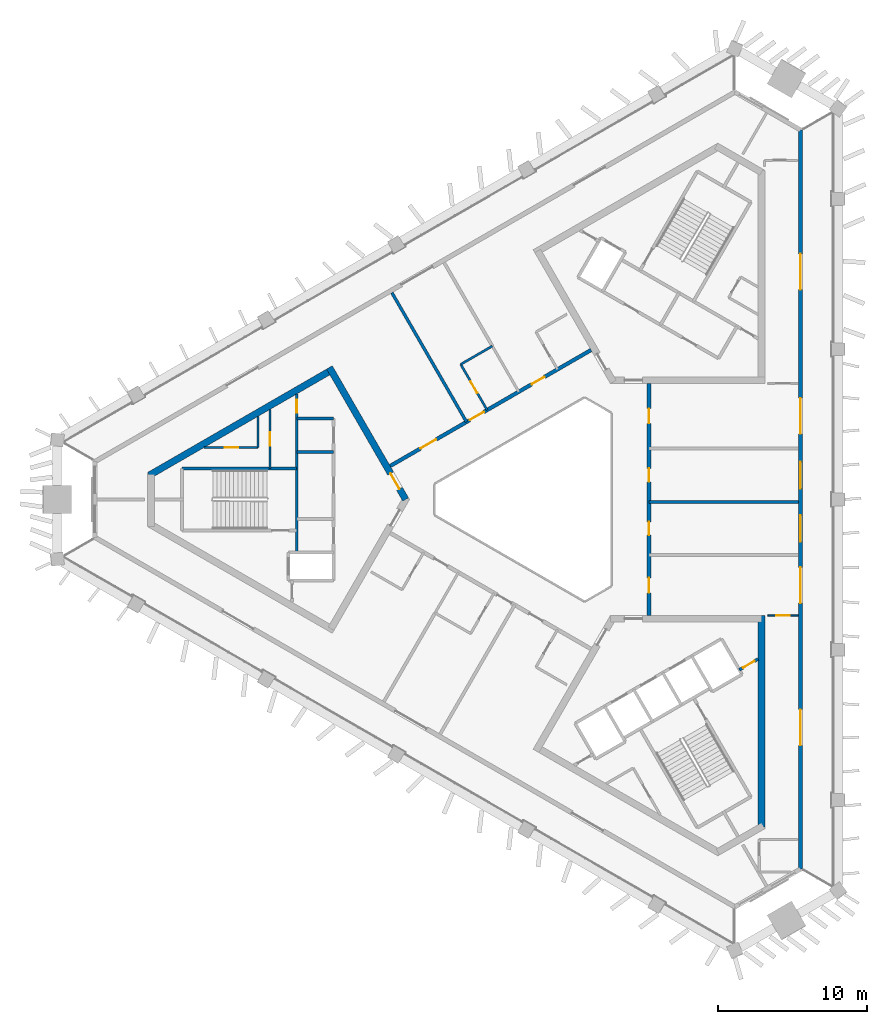
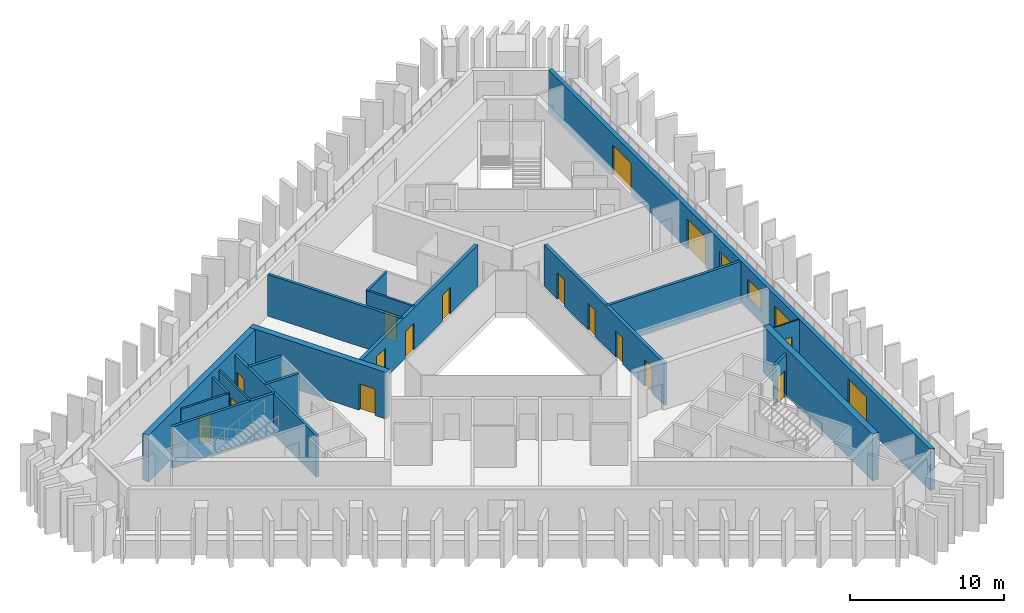
# One storey, part 4 of 9: 19 walls, 18 doors, 2 windows, 20 openings.
"""IFC4 building model written with IfcOpenShell, lengths in metres."""

from ifc_helpers import new_model, si_unit, direction, frame, frame_2d, origin, place, context, subcontext, project, spatial, rectangle, extrude, material, layer, layer_set, type_object, element, fill, save


model = new_model("IFC4")

# Units and contexts
model_context = context("Model", 3, precision=1e-05, world=origin(), true_north=direction((0.0, 1.0)))
body_context = subcontext(model_context, "Body", "Model", "MODEL_VIEW")
ifc_project = project(units=[si_unit("LENGTHUNIT", "METRE"), si_unit("AREAUNIT", "SQUARE_METRE"), si_unit("VOLUMEUNIT", "CUBIC_METRE"), si_unit("PLANEANGLEUNIT", "RADIAN"), si_unit("MASSUNIT", "GRAM", prefix="KILO")], contexts=[model_context])

# Site, building, storey
site_placement = place(None, origin())
site = spatial("IfcSite", under=ifc_project, at=site_placement, CompositionType="ELEMENT")
building_placement = place(site_placement, origin())
building = spatial("IfcBuilding", under=site, at=building_placement, Name="Jabali Bay Hotel Tower and Convention Centre", CompositionType="ELEMENT")
storey_placement = place(building_placement, frame((0.0, 0.0, 239.10009765625)))
storey = spatial("IfcBuildingStorey", under=building, at=storey_placement, Name="L59", CompositionType="ELEMENT", Elevation=239.10009765625)

# Wall, opening, door
ifc_material_1 = material(Name="Concrete C40", Category="concrete")
ifc_layer_1 = layer(ifc_material_1, 0.199951171875)
ifc_layer_set_1 = layer_set([ifc_layer_1], Name="Concrete C40")
wall_type_1 = type_object("IfcWallType", Name="Core partition wall 200", PredefinedType="PARTITIONING", material=ifc_layer_set_1)
wall_1_placement = place(storey_placement, frame((88.164794921875, 68.548095703125, 0.0), z_axis=(0.0, 0.0, 1.0), x_axis=(0.866013036001, 0.500021421018, 0.0)))
wall_1 = element("IfcWall", 1, at=wall_1_placement, inside=storey, type_object=wall_type_1, Name="Core wall 2.12 L59", PredefinedType="PARTITIONING", context=body_context, shape_type="SweptSolid", body=[
    extrude(rectangle(XDim=1.4609375, YDim=0.199951171875, at=frame_2d((0.73046875, 0.0))), origin(), (0.0, 0.0, 1.0), 3.2998046875),
])
opening_1_placement = place(wall_1_placement, frame((0.280517578125, 0.0, 0.0)))
opening_1 = element("IfcOpeningElement", 2, at=opening_1_placement, cuts=wall_1, Name="Opening D1301", PredefinedType="OPENING", context=body_context, shape_type="SweptSolid", body=[
    extrude(rectangle(XDim=0.89990234375, YDim=2.10009765625, at=frame_2d((0.449951171875, 1.050048828125))), frame((0.0, 0.1103515625, 0.0), z_axis=(0.0, -1.0, 0.0), x_axis=(1.0, 0.0, 0.0)), (0.0, 0.0, 1.0), 0.220947265625),
])
ifc_material_2 = material(Name="Fire-rated steel door", Category="steel")
door_type_1 = type_object("IfcDoorType", Name="Vestibule fire door 900 x 2100", OperationType="NOTDEFINED", PredefinedType="NOTDEFINED", material=ifc_material_2)
door_1_placement = place(opening_1_placement, origin())
door_1 = element("IfcDoor", 3, at=door_1_placement, inside=storey, type_object=door_type_1, Name="Vestibule fire door D1301", OperationType="SINGLE_SWING_LEFT", OverallHeight=2.10009765625, OverallWidth=0.89990234375, PredefinedType="NOTDEFINED", context=body_context, shape_type="SweptSolid", body=[
    extrude(rectangle(XDim=0.89990234375, YDim=2.10009765625, at=frame_2d((0.449951171875, 1.050048828125))), frame((0.0, 0.02490234375, 0.0), z_axis=(0.0, -1.0, 0.0), x_axis=(1.0, 0.0, 0.0)), (0.0, 0.0, 1.0), 0.050048828125),
])
fill(opening_1, door_1)

ifc_material_3 = material(Name="Fire-rated board partition")
ifc_layer_2 = layer(ifc_material_3, 0.14990234375)
ifc_layer_set_2 = layer_set([ifc_layer_2], Name="Fire-rated board partition")
wall_type_2 = type_object("IfcWallType", Name="Core room partition 150", PredefinedType="PARTITIONING", material=ifc_layer_set_2)
wall_2_placement = place(storey_placement, frame((55.820068359375, 83.5, 0.0), z_axis=(0.0, 0.0, 1.0), x_axis=(-1.0, 0.0, 0.0)))
wall_2 = element("IfcWall", 4, at=wall_2_placement, inside=storey, type_object=wall_type_2, Name="Core wall 0.1 L59", PredefinedType="PARTITIONING", context=body_context, shape_type="SweptSolid", body=[
    extrude(rectangle(XDim=3.617919921875, YDim=0.14990234375, at=frame_2d((1.80908203125, 0.0))), origin(), (0.0, 0.0, 1.0), 3.2998046875),
])
opening_2_placement = place(wall_2_placement, frame((1.33154296875, 0.0, 0.0)))
opening_2 = element("IfcOpeningElement", 5, at=opening_2_placement, cuts=wall_2, Name="Opening D1290", PredefinedType="OPENING", context=body_context, shape_type="SweptSolid", body=[
    extrude(rectangle(XDim=0.89990234375, YDim=2.10009765625, at=frame_2d((0.449951171875, 1.050048828125))), frame((0.0, 0.08544921875, 0.0), z_axis=(0.0, -1.0, 0.0), x_axis=(1.0, 0.0, 0.0)), (0.0, 0.0, 1.0), 0.1708984375),
])
door_type_2 = type_object("IfcDoorType", Name="Core room door 900 x 2100", OperationType="NOTDEFINED", PredefinedType="NOTDEFINED", material=ifc_material_2)
door_2_placement = place(opening_2_placement, origin())
door_2 = element("IfcDoor", 6, at=door_2_placement, inside=storey, type_object=door_type_2, Name="Core room door D1290", OperationType="SINGLE_SWING_LEFT", OverallHeight=2.10009765625, OverallWidth=0.89990234375, PredefinedType="NOTDEFINED", context=body_context, shape_type="SweptSolid", body=[
    extrude(rectangle(XDim=0.89990234375, YDim=2.10009765625, at=frame_2d((0.449951171875, 1.050048828125))), frame((0.0, 0.02490234375, 0.0), z_axis=(0.0, -1.0, 0.0), x_axis=(1.0, 0.0, 0.0)), (0.0, 0.0, 1.0), 0.050048828125),
])
fill(opening_2, door_2)

wall_3_placement = place(storey_placement, frame((56.6201171875, 86.050537109375, 0.0), z_axis=(0.0, 0.0, 1.0), x_axis=(0.0, -1.0, 0.0)))
wall_3 = element("IfcWall", 7, at=wall_3_placement, inside=storey, type_object=wall_type_2, Name="Core wall 0.13 L59", PredefinedType="PARTITIONING", context=body_context, shape_type="SweptSolid", body=[
    extrude(rectangle(XDim=3.9755859375, YDim=0.14990234375, at=frame_2d((1.98779296875, 0.0))), origin(), (0.0, 0.0, 1.0), 3.2998046875),
])
opening_3_placement = place(wall_3_placement, frame((1.537841796875, 0.0, 0.0)))
opening_3 = element("IfcOpeningElement", 8, at=opening_3_placement, cuts=wall_3, Name="Opening D1286", PredefinedType="OPENING", context=body_context, shape_type="SweptSolid", body=[
    extrude(rectangle(XDim=0.89990234375, YDim=2.10009765625, at=frame_2d((0.449951171875, 1.050048828125))), frame((0.0, 0.08544921875, 0.0), z_axis=(0.0, -1.0, 0.0), x_axis=(1.0, 0.0, 0.0)), (0.0, 0.0, 1.0), 0.1708984375),
])
door_3_placement = place(opening_3_placement, origin())
door_3 = element("IfcDoor", 9, at=door_3_placement, inside=storey, type_object=door_type_2, Name="Core room door D1286", OperationType="SINGLE_SWING_RIGHT", OverallHeight=2.10009765625, OverallWidth=0.89990234375, PredefinedType="NOTDEFINED", context=body_context, shape_type="SweptSolid", body=[
    extrude(rectangle(XDim=0.89990234375, YDim=2.10009765625, at=frame_2d((0.449951171875, 1.050048828125))), frame((0.0, 0.02490234375, 0.0), z_axis=(0.0, -1.0, 0.0), x_axis=(1.0, 0.0, 0.0)), (0.0, 0.0, 1.0), 0.050048828125),
])
fill(opening_3, door_3)

# Walls
wall_4_placement = place(storey_placement, frame((55.820068359375, 85.5888671875, 0.0), z_axis=(0.0, 0.0, 1.0), x_axis=(0.0, -1.0, 0.0)))
element("IfcWall", 10, at=wall_4_placement, inside=storey, type_object=wall_type_2, Name="Core wall 0.14 L59", PredefinedType="PARTITIONING", context=body_context, shape_type="SweptSolid", body=[
    extrude(rectangle(XDim=2.0888671875, YDim=0.14990234375, at=frame_2d((1.04443359375, 0.0))), origin(), (0.0, 0.0, 1.0), 3.2998046875),
])
ifc_layer_3 = layer(ifc_material_1, 0.199951171875)
ifc_layer_set_3 = layer_set([ifc_layer_3], Name="Concrete C40")
wall_type_3 = type_object("IfcWallType", Name="Core stair wall 200", PredefinedType="SOLIDWALL", material=ifc_layer_set_3)
for number, where, z_axis, x_axis, name in (
    (11, (60.89990234375, 85.449951171875, 0.0), (0.0, 0.0, 1.0), (-1.0, 0.0, 0.0), "Core wall 0.0 L59"),
    (12, (60.89990234375, 83.199951171875, 0.0), (0.0, 0.0, 1.0), (-1.0, 0.0, 0.0), "Core wall 0.2 L59"),
):
    element("IfcWall", number, at=place(storey_placement, frame(where, z_axis=z_axis, x_axis=x_axis)), inside=storey, type_object=wall_type_3, Name=name, PredefinedType="SOLIDWALL", context=body_context, shape_type="SweptSolid", body=[
        extrude(rectangle(XDim=2.47998046875, YDim=0.199951171875, at=frame_2d((1.239990234375, 0.0))), origin(), (0.0, 0.0, 1.0), 3.2998046875),
    ])
wall_5_placement = place(storey_placement, frame((58.419921875, 82.074951171875, 0.0), z_axis=(0.0, 0.0, 1.0), x_axis=(-1.0, 0.0, 0.0)))
element("IfcWall", 13, at=wall_5_placement, inside=storey, type_object=wall_type_3, Name="Core wall 0.3 L59", PredefinedType="SOLIDWALL", context=body_context, shape_type="SweptSolid", body=[
    extrude(rectangle(XDim=7.699951171875, YDim=0.199951171875, at=frame_2d((3.85009765625, 0.0))), origin(), (0.0, 0.0, 1.0), 3.2998046875),
])

# Wall, opening, door
wall_6_placement = place(storey_placement, frame((58.419921875, 87.08984375, 0.0), z_axis=(0.0, 0.0, 1.0), x_axis=(0.0, -1.0, 0.0)))
wall_6 = element("IfcWall", 14, at=wall_6_placement, inside=storey, type_object=wall_type_3, Name="Core wall 0.10 L59", PredefinedType="SOLIDWALL", context=body_context, shape_type="SweptSolid", body=[
    extrude(rectangle(XDim=10.639892578125, YDim=0.199951171875, at=frame_2d((5.31982421875, 0.0))), origin(), (0.0, 0.0, 1.0), 3.2998046875),
])
opening_4_placement = place(wall_6_placement, frame((0.369873046875, 0.0, 0.0)))
opening_4 = element("IfcOpeningElement", 15, at=opening_4_placement, cuts=wall_6, Name="Opening D1288", PredefinedType="OPENING", context=body_context, shape_type="SweptSolid", body=[
    extrude(rectangle(XDim=0.89990234375, YDim=2.10009765625, at=frame_2d((0.449951171875, 1.050048828125))), frame((0.0, 0.1103515625, 0.0), z_axis=(0.0, -1.0, 0.0), x_axis=(1.0, 0.0, 0.0)), (0.0, 0.0, 1.0), 0.220947265625),
])
door_4_placement = place(opening_4_placement, origin())
door_4 = element("IfcDoor", 16, at=door_4_placement, inside=storey, type_object=door_type_1, Name="Vestibule fire door D1288", OperationType="SINGLE_SWING_LEFT", OverallHeight=2.10009765625, OverallWidth=0.89990234375, PredefinedType="NOTDEFINED", context=body_context, shape_type="SweptSolid", body=[
    extrude(rectangle(XDim=0.89990234375, YDim=2.10009765625, at=frame_2d((0.449951171875, 1.050048828125))), frame((0.0, 0.02490234375, 0.0), z_axis=(0.0, -1.0, 0.0), x_axis=(1.0, 0.0, 0.0)), (0.0, 0.0, 1.0), 0.050048828125),
])
fill(opening_4, door_4)

ifc_material_4 = material(Name="Concrete C60", Category="concrete")
ifc_layer_4 = layer(ifc_material_4, 0.449951171875)
ifc_layer_set_4 = layer_set([ifc_layer_4], Name="Concrete C60")
wall_type_4 = type_object("IfcWallType", Name="Core wall 450", PredefinedType="SHEAR", material=ifc_layer_set_4)
wall_7_placement = place(storey_placement, frame((65.740234375, 80.0, 0.0), z_axis=(0.0, 0.0, 1.0), x_axis=(-0.499991857942, 0.866030104553, 0.0)))
wall_7 = element("IfcWall", 17, at=wall_7_placement, inside=storey, type_object=wall_type_4, Name="Core wall 1.1 L59", PredefinedType="SHEAR", context=body_context, shape_type="SweptSolid", body=[
    extrude(rectangle(XDim=10.250244140625, YDim=0.449951171875, at=frame_2d((5.125, 0.0))), origin(), (0.0, 0.0, 1.0), 3.699951171875),
])
opening_5_placement = place(wall_7_placement, frame((0.820068359375, 0.0, 0.0)))
opening_5 = element("IfcOpeningElement", 18, at=opening_5_placement, cuts=wall_7, Name="Opening D1281", PredefinedType="OPENING", context=body_context, shape_type="SweptSolid", body=[
    extrude(rectangle(XDim=1.199951171875, YDim=2.10009765625, at=frame_2d((0.60009765625, 1.050048828125))), frame((0.0, 0.2353515625, 0.0), z_axis=(0.0, -1.0, 0.0), x_axis=(1.0, 0.0, 0.0)), (0.0, 0.0, 1.0), 0.470947265625),
])
door_type_3 = type_object("IfcDoorType", Name="Corridor end fire door 1200 x 2100", OperationType="NOTDEFINED", PredefinedType="NOTDEFINED", material=ifc_material_2)
door_5_placement = place(opening_5_placement, origin())
door_5 = element("IfcDoor", 19, at=door_5_placement, inside=storey, type_object=door_type_3, Name="Corridor end fire door D1281", OperationType="SINGLE_SWING_RIGHT", OverallHeight=2.10009765625, OverallWidth=1.199951171875, PredefinedType="NOTDEFINED", context=body_context, shape_type="SweptSolid", body=[
    extrude(rectangle(XDim=1.199951171875, YDim=2.10009765625, at=frame_2d((0.60009765625, 1.050048828125))), frame((0.0, 0.02490234375, 0.0), z_axis=(0.0, -1.0, 0.0), x_axis=(1.0, 0.0, 0.0)), (0.0, 0.0, 1.0), 0.050048828125),
])
fill(opening_5, door_5)

# Walls
wall_8_placement = place(storey_placement, frame((60.7275390625, 88.681884765625, 0.0), z_axis=(0.0, 0.0, 1.0), x_axis=(-0.866021613849, -0.500006564303, 0.0)))
element("IfcWall", 20, at=wall_8_placement, inside=storey, type_object=wall_type_4, Name="Core wall 1.2 L59", PredefinedType="SHEAR", context=body_context, shape_type="SweptSolid", body=[
    extrude(rectangle(XDim=14.108154296875, YDim=0.449951171875, at=frame_2d((7.05419921875, 0.0))), origin(), (0.0, 0.0, 1.0), 3.699951171875),
])
wall_9_placement = place(storey_placement, frame((89.655029296875, 58.002197265625, 0.0), z_axis=(0.0, 0.0, 1.0), x_axis=(0.0, 1.0, 0.0)))
element("IfcWall", 21, at=wall_9_placement, inside=storey, type_object=wall_type_4, Name="Core wall 3.4 L59", PredefinedType="SHEAR", context=body_context, shape_type="SweptSolid", body=[
    extrude(rectangle(XDim=14.20361328125, YDim=0.449951171875, at=frame_2d((7.101806640625, 0.0))), origin(), (0.0, 0.0, 1.0), 3.699951171875),
])

# Wall, openings, doors
ifc_layer_5 = layer(ifc_material_4, 0.25)
ifc_layer_set_5 = layer_set([ifc_layer_5], Name="Concrete C60")
wall_type_5 = type_object("IfcWallType", Name="Corridor wall 250", PredefinedType="SHEAR", material=ifc_layer_set_5)
wall_10_placement = place(storey_placement, frame((82.10009765625, 72.205810546875, 0.0), z_axis=(0.0, 0.0, 1.0), x_axis=(0.0, 1.0, 0.0)))
wall_10 = element("IfcWall", 22, at=wall_10_placement, inside=storey, type_object=wall_type_5, Name="Corridor wall 1 L59", PredefinedType="SHEAR", context=body_context, shape_type="SweptSolid", body=[
    extrude(rectangle(XDim=15.58837890625, YDim=0.25, at=frame_2d((7.794189453125, 0.0))), origin(), (0.0, 0.0, 1.0), 3.2998046875),
])
opening_6_placement = place(wall_10_placement, frame((1.526611328125, 0.0, 0.0)))
opening_6 = element("IfcOpeningElement", 23, at=opening_6_placement, cuts=wall_10, Name="Opening 5901", PredefinedType="OPENING", context=body_context, shape_type="SweptSolid", body=[
    extrude(rectangle(XDim=1.0, YDim=2.10009765625, at=frame_2d((0.5, 1.050048828125))), frame((0.0, 0.135498046875, 0.0), z_axis=(0.0, -1.0, 0.0), x_axis=(1.0, 0.0, 0.0)), (0.0, 0.0, 1.0), 0.27099609375),
])
opening_7_placement = place(wall_10_placement, frame((5.395751953125, 0.0, 0.0)))
opening_7 = element("IfcOpeningElement", 24, at=opening_7_placement, cuts=wall_10, Name="Opening 5904", PredefinedType="OPENING", context=body_context, shape_type="SweptSolid", body=[
    extrude(rectangle(XDim=0.89990234375, YDim=2.10009765625, at=frame_2d((0.449951171875, 1.050048828125))), frame((0.0, 0.135498046875, 0.0), z_axis=(0.0, -1.0, 0.0), x_axis=(1.0, 0.0, 0.0)), (0.0, 0.0, 1.0), 0.27099609375),
])
opening_8_placement = place(wall_10_placement, frame((8.98095703125, 0.0, 0.0)))
opening_8 = element("IfcOpeningElement", 25, at=opening_8_placement, cuts=wall_10, Name="Opening 5905", PredefinedType="OPENING", context=body_context, shape_type="SweptSolid", body=[
    extrude(rectangle(XDim=0.89990234375, YDim=2.10009765625, at=frame_2d((0.449951171875, 1.050048828125))), frame((0.0, 0.135498046875, 0.0), z_axis=(0.0, -1.0, 0.0), x_axis=(1.0, 0.0, 0.0)), (0.0, 0.0, 1.0), 0.27099609375),
])
opening_9_placement = place(wall_10_placement, frame((12.906005859375, 0.0, 0.0)))
opening_9 = element("IfcOpeningElement", 26, at=opening_9_placement, cuts=wall_10, Name="Opening 5906", PredefinedType="OPENING", context=body_context, shape_type="SweptSolid", body=[
    extrude(rectangle(XDim=1.0, YDim=2.10009765625, at=frame_2d((0.5, 1.050048828125))), frame((0.0, 0.135498046875, 0.0), z_axis=(0.0, -1.0, 0.0), x_axis=(1.0, 0.0, 0.0)), (0.0, 0.0, 1.0), 0.27099609375),
])
ifc_material_5 = material(Name="Timber", Category="wood")
door_type_4 = type_object("IfcDoorType", Name="Guest room door 1000 x 2100", OperationType="NOTDEFINED", PredefinedType="NOTDEFINED", material=ifc_material_5)
door_6_placement = place(opening_6_placement, origin())
door_6 = element("IfcDoor", 27, at=door_6_placement, inside=storey, type_object=door_type_4, Name="Door 5901", OperationType="SINGLE_SWING_LEFT", OverallHeight=2.10009765625, OverallWidth=1.0, PredefinedType="NOTDEFINED", context=body_context, shape_type="SweptSolid", body=[
    extrude(rectangle(XDim=1.0, YDim=2.10009765625, at=frame_2d((0.5, 1.050048828125))), frame((0.0, 0.02490234375, 0.0), z_axis=(0.0, -1.0, 0.0), x_axis=(1.0, 0.0, 0.0)), (0.0, 0.0, 1.0), 0.050048828125),
])
fill(opening_6, door_6)
door_7_placement = place(opening_9_placement, origin())
door_7 = element("IfcDoor", 28, at=door_7_placement, inside=storey, type_object=door_type_4, Name="Door 5906", OperationType="SINGLE_SWING_RIGHT", OverallHeight=2.10009765625, OverallWidth=1.0, PredefinedType="NOTDEFINED", context=body_context, shape_type="SweptSolid", body=[
    extrude(rectangle(XDim=1.0, YDim=2.10009765625, at=frame_2d((0.5, 1.050048828125))), frame((0.0, 0.02490234375, 0.0), z_axis=(0.0, -1.0, 0.0), x_axis=(1.0, 0.0, 0.0)), (0.0, 0.0, 1.0), 0.050048828125),
])
fill(opening_9, door_7)
door_type_5 = type_object("IfcDoorType", Name="Internal door 900 x 2100", OperationType="NOTDEFINED", PredefinedType="NOTDEFINED", material=ifc_material_5)
door_8_placement = place(opening_7_placement, origin())
door_8 = element("IfcDoor", 29, at=door_8_placement, inside=storey, type_object=door_type_5, Name="Door 5904", OperationType="SINGLE_SWING_LEFT", OverallHeight=2.10009765625, OverallWidth=0.89990234375, PredefinedType="NOTDEFINED", context=body_context, shape_type="SweptSolid", body=[
    extrude(rectangle(XDim=0.89990234375, YDim=2.10009765625, at=frame_2d((0.449951171875, 1.050048828125))), frame((0.0, 0.02490234375, 0.0), z_axis=(0.0, -1.0, 0.0), x_axis=(1.0, 0.0, 0.0)), (0.0, 0.0, 1.0), 0.050048828125),
])
fill(opening_7, door_8)
door_9_placement = place(opening_8_placement, origin())
door_9 = element("IfcDoor", 30, at=door_9_placement, inside=storey, type_object=door_type_5, Name="Door 5905", OperationType="SINGLE_SWING_RIGHT", OverallHeight=2.10009765625, OverallWidth=0.89990234375, PredefinedType="NOTDEFINED", context=body_context, shape_type="SweptSolid", body=[
    extrude(rectangle(XDim=0.89990234375, YDim=2.10009765625, at=frame_2d((0.449951171875, 1.050048828125))), frame((0.0, 0.02490234375, 0.0), z_axis=(0.0, -1.0, 0.0), x_axis=(1.0, 0.0, 0.0)), (0.0, 0.0, 1.0), 0.050048828125),
])
fill(opening_8, door_9)

wall_11_placement = place(storey_placement, frame((78.199951171875, 90.0458984375, 0.0), z_axis=(0.0, 0.0, 1.0), x_axis=(-0.866026492143, -0.499998114903, 0.0)))
wall_11 = element("IfcWall", 31, at=wall_11_placement, inside=storey, type_object=wall_type_5, Name="Corridor wall 2 L59", PredefinedType="SHEAR", context=body_context, shape_type="SweptSolid", body=[
    extrude(rectangle(XDim=15.58837890625, YDim=0.25, at=frame_2d((7.794189453125, 0.0))), origin(), (0.0, 0.0, 1.0), 3.2998046875),
])
opening_10_placement = place(wall_11_placement, frame((3.60595703125, 0.0, 0.0)))
opening_10 = element("IfcOpeningElement", 32, at=opening_10_placement, cuts=wall_11, Name="Opening 5910", PredefinedType="OPENING", context=body_context, shape_type="SweptSolid", body=[
    extrude(rectangle(XDim=1.0, YDim=2.10009765625, at=frame_2d((0.5, 1.050048828125))), frame((0.0, 0.135498046875, 0.0), z_axis=(0.0, -1.0, 0.0), x_axis=(1.0, 0.0, 0.0)), (0.0, 0.0, 1.0), 0.27099609375),
])
opening_11_placement = place(wall_11_placement, frame((8.314697265625, 0.0, 0.0)))
opening_11 = element("IfcOpeningElement", 33, at=opening_11_placement, cuts=wall_11, Name="Opening 5912", PredefinedType="OPENING", context=body_context, shape_type="SweptSolid", body=[
    extrude(rectangle(XDim=1.10009765625, YDim=2.10009765625, at=frame_2d((0.550048828125, 1.050048828125))), frame((0.0, 0.135498046875, 0.0), z_axis=(0.0, -1.0, 0.0), x_axis=(1.0, 0.0, 0.0)), (0.0, 0.0, 1.0), 0.27099609375),
])
opening_12_placement = place(wall_11_placement, frame((12.026611328125, 0.0, 0.0)))
opening_12 = element("IfcOpeningElement", 34, at=opening_12_placement, cuts=wall_11, Name="Opening 5913", PredefinedType="OPENING", context=body_context, shape_type="SweptSolid", body=[
    extrude(rectangle(XDim=1.199951171875, YDim=2.39990234375, at=frame_2d((0.60009765625, 1.199951171875))), frame((0.0, 0.135498046875, 0.0), z_axis=(0.0, -1.0, 0.0), x_axis=(1.0, 0.0, 0.0)), (0.0, 0.0, 1.0), 0.27099609375),
])
door_type_6 = type_object("IfcDoorType", Name="Accessible guest room door 1100 x 2100", OperationType="NOTDEFINED", PredefinedType="NOTDEFINED", material=ifc_material_5)
door_10_placement = place(opening_11_placement, origin())
door_10 = element("IfcDoor", 35, at=door_10_placement, inside=storey, type_object=door_type_6, Name="Door 5912", OperationType="SINGLE_SWING_RIGHT", OverallHeight=2.10009765625, OverallWidth=1.10009765625, PredefinedType="NOTDEFINED", context=body_context, shape_type="SweptSolid", body=[
    extrude(rectangle(XDim=1.10009765625, YDim=2.10009765625, at=frame_2d((0.550048828125, 1.050048828125))), frame((0.0, 0.02490234375, 0.0), z_axis=(0.0, -1.0, 0.0), x_axis=(1.0, 0.0, 0.0)), (0.0, 0.0, 1.0), 0.050048828125),
])
fill(opening_11, door_10)
door_11_placement = place(opening_10_placement, origin())
door_11 = element("IfcDoor", 36, at=door_11_placement, inside=storey, type_object=door_type_4, Name="Door 5910", OperationType="SINGLE_SWING_LEFT", OverallHeight=2.10009765625, OverallWidth=1.0, PredefinedType="NOTDEFINED", context=body_context, shape_type="SweptSolid", body=[
    extrude(rectangle(XDim=1.0, YDim=2.10009765625, at=frame_2d((0.5, 1.050048828125))), frame((0.0, 0.02490234375, 0.0), z_axis=(0.0, -1.0, 0.0), x_axis=(1.0, 0.0, 0.0)), (0.0, 0.0, 1.0), 0.050048828125),
])
fill(opening_10, door_11)
door_type_7 = type_object("IfcDoorType", Name="Public room door 1200 x 2400", OperationType="NOTDEFINED", PredefinedType="NOTDEFINED", material=ifc_material_5)
door_12_placement = place(opening_12_placement, origin())
door_12 = element("IfcDoor", 37, at=door_12_placement, inside=storey, type_object=door_type_7, Name="Door 5913", OperationType="SINGLE_SWING_RIGHT", OverallHeight=2.39990234375, OverallWidth=1.199951171875, PredefinedType="NOTDEFINED", context=body_context, shape_type="SweptSolid", body=[
    extrude(rectangle(XDim=1.199951171875, YDim=2.39990234375, at=frame_2d((0.60009765625, 1.199951171875))), frame((0.0, 0.02490234375, 0.0), z_axis=(0.0, -1.0, 0.0), x_axis=(1.0, 0.0, 0.0)), (0.0, 0.0, 1.0), 0.050048828125),
])
fill(opening_12, door_12)

# Wall, openings, doors, windows
ifc_layer_6 = layer(ifc_material_1, 0.300048828125)
ifc_layer_set_6 = layer_set([ifc_layer_6], Name="Concrete C40")
wall_type_6 = type_object("IfcWallType", Name="External wall 300", PredefinedType="SOLIDWALL", material=ifc_layer_set_6)
wall_12_placement = place(storey_placement, frame((92.278564453125, 104.84423828125, 0.0), z_axis=(0.0, 0.0, 1.0), x_axis=(0.0, -1.0, 0.0)))
wall_12 = element("IfcWall", 38, at=wall_12_placement, inside=storey, type_object=wall_type_6, Name="External wall east face L59", PredefinedType="SOLIDWALL", context=body_context, shape_type="SweptSolid", body=[
    extrude(rectangle(XDim=49.6884765625, YDim=0.300048828125, at=frame_2d((24.84423828125, 0.0))), origin(), (0.0, 0.0, 1.0), 3.2998046875),
])
opening_13_placement = place(wall_12_placement, frame((29.411865234375, 0.0, 0.0)))
opening_13 = element("IfcOpeningElement", 39, at=opening_13_placement, cuts=wall_12, Name="Opening SD1", PredefinedType="OPENING", context=body_context, shape_type="SweptSolid", body=[
    extrude(rectangle(XDim=2.39990234375, YDim=2.39990234375, at=frame_2d((1.199951171875, 1.199951171875))), frame((0.0, 0.16064453125, 0.0), z_axis=(0.0, -1.0, 0.0), x_axis=(1.0, 0.0, 0.0)), (0.0, 0.0, 1.0), 0.321044921875),
])
opening_14_placement = place(wall_12_placement, frame((38.97265625, 0.0, 0.0)))
opening_14 = element("IfcOpeningElement", 40, at=opening_14_placement, cuts=wall_12, Name="Opening SD1", PredefinedType="OPENING", context=body_context, shape_type="SweptSolid", body=[
    extrude(rectangle(XDim=2.39990234375, YDim=2.39990234375, at=frame_2d((1.199951171875, 1.199951171875))), frame((0.0, 0.16064453125, 0.0), z_axis=(0.0, -1.0, 0.0), x_axis=(1.0, 0.0, 0.0)), (0.0, 0.0, 1.0), 0.321044921875),
])
opening_15_placement = place(wall_12_placement, frame((18.032470703125, 0.0, 0.0)))
opening_15 = element("IfcOpeningElement", 41, at=opening_15_placement, cuts=wall_12, Name="Opening SD1", PredefinedType="OPENING", context=body_context, shape_type="SweptSolid", body=[
    extrude(rectangle(XDim=2.39990234375, YDim=2.39990234375, at=frame_2d((1.199951171875, 1.199951171875))), frame((0.0, 0.16064453125, 0.0), z_axis=(0.0, -1.0, 0.0), x_axis=(1.0, 0.0, 0.0)), (0.0, 0.0, 1.0), 0.321044921875),
])
opening_16_placement = place(wall_12_placement, frame((8.341064453125, 0.0, 0.0)))
opening_16 = element("IfcOpeningElement", 42, at=opening_16_placement, cuts=wall_12, Name="Opening SD1", PredefinedType="OPENING", context=body_context, shape_type="SweptSolid", body=[
    extrude(rectangle(XDim=2.39990234375, YDim=2.39990234375, at=frame_2d((1.199951171875, 1.199951171875))), frame((0.0, 0.16064453125, 0.0), z_axis=(0.0, -1.0, 0.0), x_axis=(1.0, 0.0, 0.0)), (0.0, 0.0, 1.0), 0.321044921875),
])
opening_17_placement = place(wall_12_placement, frame((25.892822265625, 0.0, 0.89990234375)))
opening_17 = element("IfcOpeningElement", 43, at=opening_17_placement, cuts=wall_12, Name="Opening W1", PredefinedType="OPENING", context=body_context, shape_type="SweptSolid", body=[
    extrude(rectangle(XDim=1.800048828125, YDim=1.5, at=frame_2d((0.89990234375, 0.75))), frame((0.0, 0.16064453125, 0.0), z_axis=(0.0, -1.0, 0.0), x_axis=(1.0, 0.0, 0.0)), (0.0, 0.0, 1.0), 0.321044921875),
])
opening_18_placement = place(wall_12_placement, frame((22.307373046875, 0.0, 0.89990234375)))
opening_18 = element("IfcOpeningElement", 44, at=opening_18_placement, cuts=wall_12, Name="Opening W1", PredefinedType="OPENING", context=body_context, shape_type="SweptSolid", body=[
    extrude(rectangle(XDim=1.800048828125, YDim=1.5, at=frame_2d((0.89990234375, 0.75))), frame((0.0, 0.16064453125, 0.0), z_axis=(0.0, -1.0, 0.0), x_axis=(1.0, 0.0, 0.0)), (0.0, 0.0, 1.0), 0.321044921875),
])
ifc_material_6 = material(Name="Glass", Category="glass")
door_type_8 = type_object("IfcDoorType", Name="Loggia sliding door 2400 x 2400", OperationType="NOTDEFINED", PredefinedType="NOTDEFINED", material=ifc_material_6)
door_13_placement = place(opening_13_placement, origin())
door_13 = element("IfcDoor", 45, at=door_13_placement, inside=storey, type_object=door_type_8, Name="Loggia sliding door 5901", OperationType="SLIDING_TO_LEFT", OverallHeight=2.39990234375, OverallWidth=2.39990234375, PredefinedType="NOTDEFINED", context=body_context, shape_type="SweptSolid", body=[
    extrude(rectangle(XDim=2.39990234375, YDim=2.39990234375, at=frame_2d((1.199951171875, 1.199951171875))), frame((0.0, 0.02490234375, 0.0), z_axis=(0.0, -1.0, 0.0), x_axis=(1.0, 0.0, 0.0)), (0.0, 0.0, 1.0), 0.050048828125),
])
fill(opening_13, door_13)
door_14_placement = place(opening_14_placement, origin())
door_14 = element("IfcDoor", 46, at=door_14_placement, inside=storey, type_object=door_type_8, Name="Loggia sliding door 5901", OperationType="SLIDING_TO_RIGHT", OverallHeight=2.39990234375, OverallWidth=2.39990234375, PredefinedType="NOTDEFINED", context=body_context, shape_type="SweptSolid", body=[
    extrude(rectangle(XDim=2.39990234375, YDim=2.39990234375, at=frame_2d((1.199951171875, 1.199951171875))), frame((0.0, 0.02490234375, 0.0), z_axis=(0.0, -1.0, 0.0), x_axis=(1.0, 0.0, 0.0)), (0.0, 0.0, 1.0), 0.050048828125),
])
fill(opening_14, door_14)
door_15_placement = place(opening_15_placement, origin())
door_15 = element("IfcDoor", 47, at=door_15_placement, inside=storey, type_object=door_type_8, Name="Loggia sliding door 5904", OperationType="SLIDING_TO_LEFT", OverallHeight=2.39990234375, OverallWidth=2.39990234375, PredefinedType="NOTDEFINED", context=body_context, shape_type="SweptSolid", body=[
    extrude(rectangle(XDim=2.39990234375, YDim=2.39990234375, at=frame_2d((1.199951171875, 1.199951171875))), frame((0.0, 0.02490234375, 0.0), z_axis=(0.0, -1.0, 0.0), x_axis=(1.0, 0.0, 0.0)), (0.0, 0.0, 1.0), 0.050048828125),
])
fill(opening_15, door_15)
door_16_placement = place(opening_16_placement, origin())
door_16 = element("IfcDoor", 48, at=door_16_placement, inside=storey, type_object=door_type_8, Name="Loggia sliding door 5904", OperationType="SLIDING_TO_RIGHT", OverallHeight=2.39990234375, OverallWidth=2.39990234375, PredefinedType="NOTDEFINED", context=body_context, shape_type="SweptSolid", body=[
    extrude(rectangle(XDim=2.39990234375, YDim=2.39990234375, at=frame_2d((1.199951171875, 1.199951171875))), frame((0.0, 0.02490234375, 0.0), z_axis=(0.0, -1.0, 0.0), x_axis=(1.0, 0.0, 0.0)), (0.0, 0.0, 1.0), 0.050048828125),
])
fill(opening_16, door_16)
window_type = type_object("IfcWindowType", Name="Window 1800 x 1500", PartitioningType="SINGLE_PANEL", PredefinedType="WINDOW", material=ifc_material_6)
window_1_placement = place(opening_17_placement, origin())
window_1 = element("IfcWindow", 49, at=window_1_placement, inside=storey, type_object=window_type, Name="Window 5902", OverallHeight=1.5, OverallWidth=1.800048828125, PartitioningType="SINGLE_PANEL", PredefinedType="WINDOW", context=body_context, shape_type="SweptSolid", body=[
    extrude(rectangle(XDim=1.800048828125, YDim=1.5, at=frame_2d((0.89990234375, 0.75))), frame((0.0, 0.030029296875, 0.0), z_axis=(0.0, -1.0, 0.0), x_axis=(1.0, 0.0, 0.0)), (0.0, 0.0, 1.0), 0.06005859375),
])
fill(opening_17, window_1)
window_2_placement = place(opening_18_placement, origin())
window_2 = element("IfcWindow", 50, at=window_2_placement, inside=storey, type_object=window_type, Name="Window 5903", OverallHeight=1.5, OverallWidth=1.800048828125, PartitioningType="SINGLE_PANEL", PredefinedType="WINDOW", context=body_context, shape_type="SweptSolid", body=[
    extrude(rectangle(XDim=1.800048828125, YDim=1.5, at=frame_2d((0.89990234375, 0.75))), frame((0.0, 0.030029296875, 0.0), z_axis=(0.0, -1.0, 0.0), x_axis=(1.0, 0.0, 0.0)), (0.0, 0.0, 1.0), 0.06005859375),
])
fill(opening_18, window_2)

# Wall, opening, door
ifc_material_7 = material(Name="Plasterboard on steel stud", Category="steel")
ifc_layer_7 = layer(ifc_material_7, 0.10009765625)
ifc_layer_set_7 = layer_set([ifc_layer_7], Name="Plasterboard on steel stud")
wall_type_7 = type_object("IfcWallType", Name="Partition 100 unit", PredefinedType="PARTITIONING", material=ifc_layer_set_7)
wall_13_placement = place(storey_placement, frame((90.0791015625, 72.205810546875, 0.0), z_axis=(0.0, 0.0, 1.0), x_axis=(1.0, 0.0, 0.0)))
wall_13 = element("IfcWall", 51, at=wall_13_placement, inside=storey, type_object=wall_type_7, Name="Partition P02 L59 001", PredefinedType="PARTITIONING", context=body_context, shape_type="SweptSolid", body=[
    extrude(rectangle(XDim=2.05029296875, YDim=0.10009765625, at=frame_2d((1.025146484375, 0.0))), origin(), (0.0, 0.0, 1.0), 3.2998046875),
])
opening_19_placement = place(wall_13_placement, frame((0.574951171875, 0.0, 0.0)))
opening_19 = element("IfcOpeningElement", 52, at=opening_19_placement, cuts=wall_13, Name="Opening 5902", PredefinedType="OPENING", context=body_context, shape_type="SweptSolid", body=[
    extrude(rectangle(XDim=0.89990234375, YDim=2.10009765625, at=frame_2d((0.449951171875, 1.050048828125))), frame((0.0, 0.060546875, 0.0), z_axis=(0.0, -1.0, 0.0), x_axis=(1.0, 0.0, 0.0)), (0.0, 0.0, 1.0), 0.12109375),
])
door_17_placement = place(opening_19_placement, origin())
door_17 = element("IfcDoor", 53, at=door_17_placement, inside=storey, type_object=door_type_5, Name="Door 5902", OperationType="SINGLE_SWING_LEFT", OverallHeight=2.10009765625, OverallWidth=0.89990234375, PredefinedType="NOTDEFINED", context=body_context, shape_type="SweptSolid", body=[
    extrude(rectangle(XDim=0.89990234375, YDim=2.10009765625, at=frame_2d((0.449951171875, 1.050048828125))), frame((0.0, 0.02490234375, 0.0), z_axis=(0.0, -1.0, 0.0), x_axis=(1.0, 0.0, 0.0)), (0.0, 0.0, 1.0), 0.050048828125),
])
fill(opening_19, door_17)

ifc_layer_8 = layer(ifc_material_7, 0.14990234375)
ifc_layer_set_8 = layer_set([ifc_layer_8], Name="Plasterboard on steel stud")
wall_type_8 = type_object("IfcWallType", Name="Partition 150 wet", PredefinedType="PARTITIONING", material=ifc_layer_set_8)
wall_14_placement = place(storey_placement, frame((71.215576171875, 86.013427734375, 0.0), z_axis=(0.0, 0.0, 1.0), x_axis=(-0.499966764714, 0.866044591335, 0.0)))
wall_14 = element("IfcWall", 54, at=wall_14_placement, inside=storey, type_object=wall_type_8, Name="Partition P03 L59 017", PredefinedType="PARTITIONING", context=body_context, shape_type="SweptSolid", body=[
    extrude(rectangle(XDim=3.546630859375, YDim=0.14990234375, at=frame_2d((1.7734375, 0.0))), origin(), (0.0, 0.0, 1.0), 3.2998046875),
])
opening_20_placement = place(wall_14_placement, frame((1.322998046875, 0.0, 0.0)))
opening_20 = element("IfcOpeningElement", 55, at=opening_20_placement, cuts=wall_14, Name="Opening 5911", PredefinedType="OPENING", context=body_context, shape_type="SweptSolid", body=[
    extrude(rectangle(XDim=0.89990234375, YDim=2.10009765625, at=frame_2d((0.449951171875, 1.050048828125))), frame((0.0, 0.08544921875, 0.0), z_axis=(0.0, -1.0, 0.0), x_axis=(1.0, 0.0, 0.0)), (0.0, 0.0, 1.0), 0.1708984375),
])
door_type_9 = type_object("IfcDoorType", Name="Accessible en-suite door 900 x 2100", OperationType="NOTDEFINED", PredefinedType="NOTDEFINED", material=ifc_material_5)
door_18_placement = place(opening_20_placement, origin())
door_18 = element("IfcDoor", 56, at=door_18_placement, inside=storey, type_object=door_type_9, Name="Door 5911", OperationType="SINGLE_SWING_LEFT", OverallHeight=2.10009765625, OverallWidth=0.89990234375, PredefinedType="NOTDEFINED", context=body_context, shape_type="SweptSolid", body=[
    extrude(rectangle(XDim=0.89990234375, YDim=2.10009765625, at=frame_2d((0.449951171875, 1.050048828125))), frame((0.0, 0.02490234375, 0.0), z_axis=(0.0, -1.0, 0.0), x_axis=(1.0, 0.0, 0.0)), (0.0, 0.0, 1.0), 0.050048828125),
])
fill(opening_20, door_18)

# Walls
wall_15_placement = place(storey_placement, frame((69.4423828125, 89.0849609375, 0.0), z_axis=(0.0, 0.0, 1.0), x_axis=(0.866004918492, 0.500035479888, 0.0)))
element("IfcWall", 57, at=wall_15_placement, inside=storey, type_object=wall_type_8, Name="Partition P03 L59 018", PredefinedType="PARTITIONING", context=body_context, shape_type="SweptSolid", body=[
    extrude(rectangle(XDim=2.452880859375, YDim=0.14990234375, at=frame_2d((1.2265625, 0.0))), origin(), (0.0, 0.0, 1.0), 3.2998046875),
])
ifc_layer_9 = layer(ifc_material_7, 0.199951171875)
ifc_layer_set_9 = layer_set([ifc_layer_9], Name="Plasterboard on steel stud")
wall_type_9 = type_object("IfcWallType", Name="Partition 200 party", PredefinedType="PARTITIONING", material=ifc_layer_set_9)
wall_16_placement = place(storey_placement, frame((92.12939453125, 79.843994140625, 0.0), z_axis=(0.0, 0.0, 1.0), x_axis=(-1.0, 0.0, 0.0)))
element("IfcWall", 58, at=wall_16_placement, inside=storey, type_object=wall_type_9, Name="Partition P01 L59 007", PredefinedType="PARTITIONING", context=body_context, shape_type="SweptSolid", body=[
    extrude(rectangle(XDim=10.029296875, YDim=0.199951171875, at=frame_2d((5.0146484375, 0.0))), origin(), (0.0, 0.0, 1.0), 3.2998046875),
])
wall_17_placement = place(storey_placement, frame((64.815185546875, 93.899169921875, 0.0), z_axis=(0.0, 0.0, 1.0), x_axis=(0.50001112685, -0.866018979599, 0.0)))
element("IfcWall", 59, at=wall_17_placement, inside=storey, type_object=wall_type_9, Name="Partition P01 L59 019", PredefinedType="PARTITIONING", context=body_context, shape_type="SweptSolid", body=[
    extrude(rectangle(XDim=10.029541015625, YDim=0.199951171875, at=frame_2d((5.0146484375, 0.0))), origin(), (0.0, 0.0, 1.0), 3.2998046875),
])

save(model, "model.ifc")
